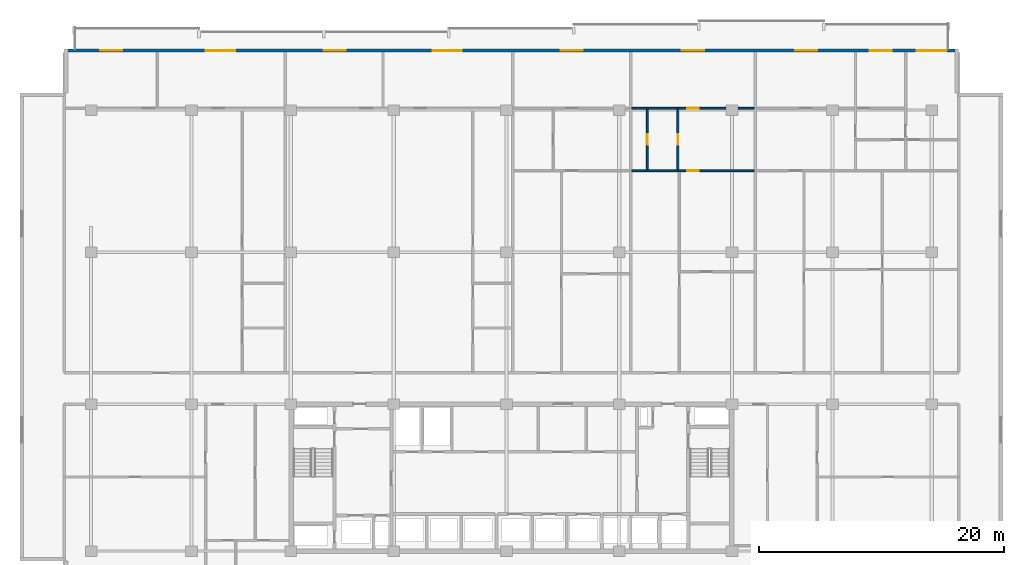
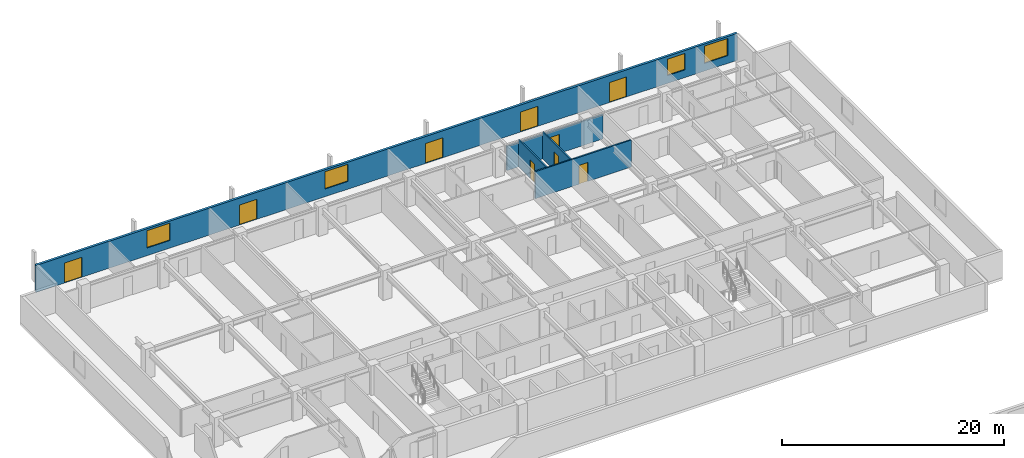
# One storey, part 14 of 21: 9 doors, 5 walls, 4 windows, 13 openings.
"""IFC4 building model written with IfcOpenShell, lengths in metres."""

from ifc_helpers import new_model, si_unit, direction, frame, frame_2d, origin, place, context, subcontext, project, spatial, rectangle, extrude, material, layer, layer_set, type_object, element, fill, save


model = new_model("IFC4")

# Units and contexts
model_context = context("Model", 3, precision=1e-05, world=origin(), true_north=direction((0.0, 1.0)))
body_context = subcontext(model_context, "Body", "Model", "MODEL_VIEW")
ifc_project = project(units=[si_unit("LENGTHUNIT", "METRE"), si_unit("AREAUNIT", "SQUARE_METRE"), si_unit("VOLUMEUNIT", "CUBIC_METRE"), si_unit("PLANEANGLEUNIT", "RADIAN"), si_unit("MASSUNIT", "GRAM", prefix="KILO")], contexts=[model_context])

# Site, building, storey
site_placement = place(None, origin())
site = spatial("IfcSite", under=ifc_project, at=site_placement, CompositionType="ELEMENT")
building_placement = place(site_placement, origin())
building = spatial("IfcBuilding", under=site, at=building_placement, Name="Korimba Cascade Residences", CompositionType="ELEMENT")
storey_placement = place(building_placement, frame((0.0, 0.0, 97.050048828125)))
storey = spatial("IfcBuildingStorey", under=building, at=storey_placement, Name="L27", CompositionType="ELEMENT", Elevation=97.050048828125)

# Wall, openings, doors, windows
ifc_material_1 = material(Name="Precast concrete C40/50", Category="concrete")
ifc_layer_1 = layer(ifc_material_1, 0.25)
ifc_layer_set_1 = layer_set([ifc_layer_1], Name="Precast concrete C40/50")
wall_type_1 = type_object("IfcWallType", Name="EW-LOG-250", PredefinedType="STANDARD", material=ifc_layer_set_1)
wall_1_placement = place(storey_placement, frame((130.60009765625, 96.050048828125, 0.0), z_axis=(0.0, 0.0, 1.0), x_axis=(-1.0, 0.0, 0.0)))
wall_1 = element("IfcWall", 1, at=wall_1_placement, inside=storey, type_object=wall_type_1, Name="L27 T1 Perimeter Stone Wall E06", PredefinedType="STANDARD", context=body_context, shape_type="SweptSolid", body=[
    extrude(rectangle(XDim=73.0, YDim=0.25, at=frame_2d((36.5, 0.0))), origin(), (0.0, 0.0, 1.0), 2.969970703125),
])
opening_1_placement = place(wall_1_placement, frame((68.241943359375, 0.0, 0.0)))
opening_1 = element("IfcOpeningElement", 2, at=opening_1_placement, cuts=wall_1, Name="Opening D-LG1", PredefinedType="OPENING", context=body_context, shape_type="SweptSolid", body=[
    extrude(rectangle(XDim=1.800048828125, YDim=2.199951171875, at=frame_2d((0.89990234375, 1.10009765625))), frame((0.0, 0.135009765625, 0.0), z_axis=(0.0, -1.0, 0.0), x_axis=(1.0, 0.0, 0.0)), (0.0, 0.0, 1.0), 0.27001953125),
])
opening_2_placement = place(wall_1_placement, frame((59.0458984375, 0.0, 0.85009765625)))
opening_2 = element("IfcOpeningElement", 3, at=opening_2_placement, cuts=wall_1, Name="Opening W-01", PredefinedType="OPENING", context=body_context, shape_type="SweptSolid", body=[
    extrude(rectangle(XDim=2.39990234375, YDim=1.89990234375, at=frame_2d((1.199951171875, 0.949951171875))), frame((0.0, 0.135009765625, 0.0), z_axis=(0.0, -1.0, 0.0), x_axis=(1.0, 0.0, 0.0)), (0.0, 0.0, 1.0), 0.27001953125),
])
opening_3_placement = place(wall_1_placement, frame((50.01220703125, 0.0, 0.0)))
opening_3 = element("IfcOpeningElement", 4, at=opening_3_placement, cuts=wall_1, Name="Opening D-LG1", PredefinedType="OPENING", context=body_context, shape_type="SweptSolid", body=[
    extrude(rectangle(XDim=1.800048828125, YDim=2.199951171875, at=frame_2d((0.89990234375, 1.10009765625))), frame((0.0, 0.135009765625, 0.0), z_axis=(0.0, -1.0, 0.0), x_axis=(1.0, 0.0, 0.0)), (0.0, 0.0, 1.0), 0.27001953125),
])
opening_4_placement = place(wall_1_placement, frame((40.535888671875, 0.0, 0.85009765625)))
opening_4 = element("IfcOpeningElement", 5, at=opening_4_placement, cuts=wall_1, Name="Opening W-01", PredefinedType="OPENING", context=body_context, shape_type="SweptSolid", body=[
    extrude(rectangle(XDim=2.39990234375, YDim=1.89990234375, at=frame_2d((1.199951171875, 0.949951171875))), frame((0.0, 0.135009765625, 0.0), z_axis=(0.0, -1.0, 0.0), x_axis=(1.0, 0.0, 0.0)), (0.0, 0.0, 1.0), 0.27001953125),
])
opening_5_placement = place(wall_1_placement, frame((30.67041015625, 0.0, 0.0)))
opening_5 = element("IfcOpeningElement", 6, at=opening_5_placement, cuts=wall_1, Name="Opening D-LG1", PredefinedType="OPENING", context=body_context, shape_type="SweptSolid", body=[
    extrude(rectangle(XDim=1.800048828125, YDim=2.199951171875, at=frame_2d((0.89990234375, 1.10009765625))), frame((0.0, 0.135009765625, 0.0), z_axis=(0.0, -1.0, 0.0), x_axis=(1.0, 0.0, 0.0)), (0.0, 0.0, 1.0), 0.27001953125),
])
opening_6_placement = place(wall_1_placement, frame((20.781005859375, 0.0, 0.0)))
opening_6 = element("IfcOpeningElement", 7, at=opening_6_placement, cuts=wall_1, Name="Opening D-LG1", PredefinedType="OPENING", context=body_context, shape_type="SweptSolid", body=[
    extrude(rectangle(XDim=1.800048828125, YDim=2.199951171875, at=frame_2d((0.89990234375, 1.10009765625))), frame((0.0, 0.135009765625, 0.0), z_axis=(0.0, -1.0, 0.0), x_axis=(1.0, 0.0, 0.0)), (0.0, 0.0, 1.0), 0.27001953125),
])
opening_7_placement = place(wall_1_placement, frame((5.47509765625, 0.0, 0.85009765625)))
opening_7 = element("IfcOpeningElement", 8, at=opening_7_placement, cuts=wall_1, Name="Opening W-02", PredefinedType="OPENING", context=body_context, shape_type="SweptSolid", body=[
    extrude(rectangle(XDim=1.800048828125, YDim=1.800048828125, at=frame_2d((0.89990234375, 0.89990234375))), frame((0.0, 0.135009765625, 0.0), z_axis=(0.0, -1.0, 0.0), x_axis=(1.0, 0.0, 0.0)), (0.0, 0.0, 1.0), 0.27001953125),
])
opening_8_placement = place(wall_1_placement, frame((11.548095703125, 0.0, 0.0)))
opening_8 = element("IfcOpeningElement", 9, at=opening_8_placement, cuts=wall_1, Name="Opening D-LG1", PredefinedType="OPENING", context=body_context, shape_type="SweptSolid", body=[
    extrude(rectangle(XDim=1.800048828125, YDim=2.199951171875, at=frame_2d((0.89990234375, 1.10009765625))), frame((0.0, 0.135009765625, 0.0), z_axis=(0.0, -1.0, 0.0), x_axis=(1.0, 0.0, 0.0)), (0.0, 0.0, 1.0), 0.27001953125),
])
opening_9_placement = place(wall_1_placement, frame((1.02490234375, 0.0, 0.85009765625)))
opening_9 = element("IfcOpeningElement", 10, at=opening_9_placement, cuts=wall_1, Name="Opening W-01", PredefinedType="OPENING", context=body_context, shape_type="SweptSolid", body=[
    extrude(rectangle(XDim=2.39990234375, YDim=1.89990234375, at=frame_2d((1.199951171875, 0.949951171875))), frame((0.0, 0.135009765625, 0.0), z_axis=(0.0, -1.0, 0.0), x_axis=(1.0, 0.0, 0.0)), (0.0, 0.0, 1.0), 0.27001953125),
])
ifc_material_2 = material(Name="Glazed Aluminium Loggia Sliding Door", Category="aluminium")
door_type_1 = type_object("IfcDoorType", Name="DR-EXT-LOG", OperationType="NOTDEFINED", PredefinedType="DOOR", material=ifc_material_2)
door_1_placement = place(opening_1_placement, origin())
door_1 = element("IfcDoor", 11, at=door_1_placement, inside=storey, type_object=door_type_1, Name="L27 T1 Loggia Sliding Door 3", OperationType="SLIDING_TO_LEFT", OverallHeight=2.199951171875, OverallWidth=1.800048828125, PredefinedType="DOOR", context=body_context, shape_type="SweptSolid", body=[
    extrude(rectangle(XDim=1.800048828125, YDim=2.199951171875, at=frame_2d((0.89990234375, 1.10009765625))), frame((0.0, 0.02490234375, 0.0), z_axis=(0.0, -1.0, 0.0), x_axis=(1.0, 0.0, 0.0)), (0.0, 0.0, 1.0), 0.050048828125),
])
fill(opening_1, door_1)
door_2_placement = place(opening_3_placement, origin())
door_2 = element("IfcDoor", 12, at=door_2_placement, inside=storey, type_object=door_type_1, Name="L27 T1 Loggia Sliding Door 5", OperationType="SLIDING_TO_LEFT", OverallHeight=2.199951171875, OverallWidth=1.800048828125, PredefinedType="DOOR", context=body_context, shape_type="SweptSolid", body=[
    extrude(rectangle(XDim=1.800048828125, YDim=2.199951171875, at=frame_2d((0.89990234375, 1.10009765625))), frame((0.0, 0.02490234375, 0.0), z_axis=(0.0, -1.0, 0.0), x_axis=(1.0, 0.0, 0.0)), (0.0, 0.0, 1.0), 0.050048828125),
])
fill(opening_3, door_2)
door_3_placement = place(opening_5_placement, origin())
door_3 = element("IfcDoor", 13, at=door_3_placement, inside=storey, type_object=door_type_1, Name="L27 T1 Loggia Sliding Door 7", OperationType="SLIDING_TO_LEFT", OverallHeight=2.199951171875, OverallWidth=1.800048828125, PredefinedType="DOOR", context=body_context, shape_type="SweptSolid", body=[
    extrude(rectangle(XDim=1.800048828125, YDim=2.199951171875, at=frame_2d((0.89990234375, 1.10009765625))), frame((0.0, 0.02490234375, 0.0), z_axis=(0.0, -1.0, 0.0), x_axis=(1.0, 0.0, 0.0)), (0.0, 0.0, 1.0), 0.050048828125),
])
fill(opening_5, door_3)
door_4_placement = place(opening_6_placement, origin())
door_4 = element("IfcDoor", 14, at=door_4_placement, inside=storey, type_object=door_type_1, Name="L27 T1 Loggia Sliding Door 8", OperationType="SLIDING_TO_LEFT", OverallHeight=2.199951171875, OverallWidth=1.800048828125, PredefinedType="DOOR", context=body_context, shape_type="SweptSolid", body=[
    extrude(rectangle(XDim=1.800048828125, YDim=2.199951171875, at=frame_2d((0.89990234375, 1.10009765625))), frame((0.0, 0.02490234375, 0.0), z_axis=(0.0, -1.0, 0.0), x_axis=(1.0, 0.0, 0.0)), (0.0, 0.0, 1.0), 0.050048828125),
])
fill(opening_6, door_4)
door_5_placement = place(opening_8_placement, origin())
door_5 = element("IfcDoor", 15, at=door_5_placement, inside=storey, type_object=door_type_1, Name="L27 T1 Loggia Sliding Door 10", OperationType="SLIDING_TO_LEFT", OverallHeight=2.199951171875, OverallWidth=1.800048828125, PredefinedType="DOOR", context=body_context, shape_type="SweptSolid", body=[
    extrude(rectangle(XDim=1.800048828125, YDim=2.199951171875, at=frame_2d((0.89990234375, 1.10009765625))), frame((0.0, 0.02490234375, 0.0), z_axis=(0.0, -1.0, 0.0), x_axis=(1.0, 0.0, 0.0)), (0.0, 0.0, 1.0), 0.050048828125),
])
fill(opening_8, door_5)
ifc_material_3 = material(Name="Double-Glazed Aluminium Window", Category="aluminium")
window_type_1 = type_object("IfcWindowType", Name="WIN-BED-1800", PartitioningType="SINGLE_PANEL", PredefinedType="WINDOW", material=ifc_material_3)
window_1_placement = place(opening_7_placement, origin())
window_1 = element("IfcWindow", 16, at=window_1_placement, inside=storey, type_object=window_type_1, Name="L27 T1 North Facade Window 9", OverallHeight=1.800048828125, OverallWidth=1.800048828125, PartitioningType="SINGLE_PANEL", PredefinedType="WINDOW", context=body_context, shape_type="SweptSolid", body=[
    extrude(rectangle(XDim=1.800048828125, YDim=1.800048828125, at=frame_2d((0.89990234375, 0.89990234375))), frame((0.0, 0.030029296875, 0.0), z_axis=(0.0, -1.0, 0.0), x_axis=(1.0, 0.0, 0.0)), (0.0, 0.0, 1.0), 0.06005859375),
])
fill(opening_7, window_1)
window_type_2 = type_object("IfcWindowType", Name="WIN-RES-2400", PartitioningType="DOUBLE_PANEL_VERTICAL", PredefinedType="WINDOW", material=ifc_material_3)
window_2_placement = place(opening_2_placement, origin())
window_2 = element("IfcWindow", 17, at=window_2_placement, inside=storey, type_object=window_type_2, Name="L27 T1 North Facade Window 4", OverallHeight=1.89990234375, OverallWidth=2.39990234375, PartitioningType="DOUBLE_PANEL_VERTICAL", PredefinedType="WINDOW", context=body_context, shape_type="SweptSolid", body=[
    extrude(rectangle(XDim=2.39990234375, YDim=1.89990234375, at=frame_2d((1.199951171875, 0.949951171875))), frame((0.0, 0.030029296875, 0.0), z_axis=(0.0, -1.0, 0.0), x_axis=(1.0, 0.0, 0.0)), (0.0, 0.0, 1.0), 0.06005859375),
])
fill(opening_2, window_2)
window_3_placement = place(opening_4_placement, origin())
window_3 = element("IfcWindow", 18, at=window_3_placement, inside=storey, type_object=window_type_2, Name="L27 T1 North Facade Window 6", OverallHeight=1.89990234375, OverallWidth=2.39990234375, PartitioningType="DOUBLE_PANEL_VERTICAL", PredefinedType="WINDOW", context=body_context, shape_type="SweptSolid", body=[
    extrude(rectangle(XDim=2.39990234375, YDim=1.89990234375, at=frame_2d((1.199951171875, 0.949951171875))), frame((0.0, 0.030029296875, 0.0), z_axis=(0.0, -1.0, 0.0), x_axis=(1.0, 0.0, 0.0)), (0.0, 0.0, 1.0), 0.06005859375),
])
fill(opening_4, window_3)
window_4_placement = place(opening_9_placement, origin())
window_4 = element("IfcWindow", 19, at=window_4_placement, inside=storey, type_object=window_type_2, Name="L27 T1 North Facade Window 11", OverallHeight=1.89990234375, OverallWidth=2.39990234375, PartitioningType="DOUBLE_PANEL_VERTICAL", PredefinedType="WINDOW", context=body_context, shape_type="SweptSolid", body=[
    extrude(rectangle(XDim=2.39990234375, YDim=1.89990234375, at=frame_2d((1.199951171875, 0.949951171875))), frame((0.0, 0.030029296875, 0.0), z_axis=(0.0, -1.0, 0.0), x_axis=(1.0, 0.0, 0.0)), (0.0, 0.0, 1.0), 0.06005859375),
])
fill(opening_9, window_4)

# Wall, opening, door
ifc_material_4 = material(Name="Insulated Acoustic Stud Partition", Category="gypsum")
ifc_layer_2 = layer(ifc_material_4, 0.14990234375)
ifc_layer_set_2 = layer_set([ifc_layer_2], Name="Insulated Acoustic Stud Partition")
wall_type_2 = type_object("IfcWallType", Name="WAL-PART-150", PredefinedType="PARTITIONING", material=ifc_layer_set_2)
wall_2_placement = place(storey_placement, frame((105.183837890625, 86.2900390625, 0.0), z_axis=(0.0, 0.0, 1.0), x_axis=(0.0, 1.0, 0.0)))
wall_2 = element("IfcWall", 20, at=wall_2_placement, inside=storey, type_object=wall_type_2, Name="L27 Partition Wall WAL-L27-T1-U04-CLS", PredefinedType="PARTITIONING", context=body_context, shape_type="SweptSolid", body=[
    extrude(rectangle(XDim=5.0, YDim=0.14990234375, at=frame_2d((2.5, 0.0))), origin(), (0.0, 0.0, 1.0), 2.969970703125),
])
opening_10_placement = place(wall_2_placement, frame((2.080078125, 0.0, 0.0)))
opening_10 = element("IfcOpeningElement", 21, at=opening_10_placement, cuts=wall_2, Name="Opening D-BT1", PredefinedType="OPENING", context=body_context, shape_type="SweptSolid", body=[
    extrude(rectangle(XDim=0.840087890625, YDim=2.0400390625, at=frame_2d((0.419921875, 1.02001953125))), frame((0.0, 0.0849609375, 0.0), z_axis=(0.0, -1.0, 0.0), x_axis=(1.0, 0.0, 0.0)), (0.0, 0.0, 1.0), 0.169921875),
])
ifc_material_5 = material(Name="Moisture-Resistant Bathroom Timber Door", Category="wood")
door_type_2 = type_object("IfcDoorType", Name="DR-INT-850", OperationType="NOTDEFINED", PredefinedType="DOOR", material=ifc_material_5)
door_6_placement = place(opening_10_placement, origin())
door_6 = element("IfcDoor", 22, at=door_6_placement, inside=storey, type_object=door_type_2, Name="L27-T1-U04 Closet Door", OperationType="SINGLE_SWING_LEFT", OverallHeight=2.0400390625, OverallWidth=0.840087890625, PredefinedType="DOOR", context=body_context, shape_type="SweptSolid", body=[
    extrude(rectangle(XDim=0.840087890625, YDim=2.0400390625, at=frame_2d((0.419921875, 1.02001953125))), frame((0.0, 0.02490234375, 0.0), z_axis=(0.0, -1.0, 0.0), x_axis=(1.0, 0.0, 0.0)), (0.0, 0.0, 1.0), 0.050048828125),
])
fill(opening_10, door_6)

wall_3_placement = place(storey_placement, frame((107.683837890625, 86.2900390625, 0.0), z_axis=(0.0, 0.0, 1.0), x_axis=(0.0, 1.0, 0.0)))
wall_3 = element("IfcWall", 23, at=wall_3_placement, inside=storey, type_object=wall_type_2, Name="L27 Partition Wall WAL-L27-T1-U04-BM", PredefinedType="PARTITIONING", context=body_context, shape_type="SweptSolid", body=[
    extrude(rectangle(XDim=5.0, YDim=0.14990234375, at=frame_2d((2.5, 0.0))), origin(), (0.0, 0.0, 1.0), 2.969970703125),
])
opening_11_placement = place(wall_3_placement, frame((2.080078125, 0.0, 0.0)))
opening_11 = element("IfcOpeningElement", 24, at=opening_11_placement, cuts=wall_3, Name="Opening D-BT1", PredefinedType="OPENING", context=body_context, shape_type="SweptSolid", body=[
    extrude(rectangle(XDim=0.840087890625, YDim=2.0400390625, at=frame_2d((0.419921875, 1.02001953125))), frame((0.0, 0.0849609375, 0.0), z_axis=(0.0, -1.0, 0.0), x_axis=(1.0, 0.0, 0.0)), (0.0, 0.0, 1.0), 0.169921875),
])
door_7_placement = place(opening_11_placement, origin())
door_7 = element("IfcDoor", 25, at=door_7_placement, inside=storey, type_object=door_type_2, Name="L27-T1-U04 Bathroom Door", OperationType="SINGLE_SWING_RIGHT", OverallHeight=2.0400390625, OverallWidth=0.840087890625, PredefinedType="DOOR", context=body_context, shape_type="SweptSolid", body=[
    extrude(rectangle(XDim=0.840087890625, YDim=2.0400390625, at=frame_2d((0.419921875, 1.02001953125))), frame((0.0, 0.02490234375, 0.0), z_axis=(0.0, -1.0, 0.0), x_axis=(1.0, 0.0, 0.0)), (0.0, 0.0, 1.0), 0.050048828125),
])
fill(opening_11, door_7)

wall_4_placement = place(storey_placement, frame((103.9140625, 86.25, 0.0), z_axis=(0.0, 0.0, 1.0), x_axis=(1.0, 0.0, 0.0)))
wall_4 = element("IfcWall", 26, at=wall_4_placement, inside=storey, type_object=wall_type_2, Name="L27 Partition Wall WAL-L27-T1-U04-MW", PredefinedType="PARTITIONING", context=body_context, shape_type="SweptSolid", body=[
    extrude(rectangle(XDim=10.009765625, YDim=0.14990234375, at=frame_2d((5.0048828125, 0.0))), origin(), (0.0, 0.0, 1.0), 2.969970703125),
])
opening_12_placement = place(wall_4_placement, frame((4.544921875, 0.0, 0.0)))
opening_12 = element("IfcOpeningElement", 27, at=opening_12_placement, cuts=wall_4, Name="Opening D-IN1", PredefinedType="OPENING", context=body_context, shape_type="SweptSolid", body=[
    extrude(rectangle(XDim=0.919921875, YDim=2.080078125, at=frame_2d((0.4599609375, 1.0400390625))), frame((0.0, 0.0849609375, 0.0), z_axis=(0.0, -1.0, 0.0), x_axis=(1.0, 0.0, 0.0)), (0.0, 0.0, 1.0), 0.169921875),
])
ifc_material_6 = material(Name="Acoustic Timber Living Door", Category="wood")
door_type_3 = type_object("IfcDoorType", Name="DR-INT-920", OperationType="NOTDEFINED", PredefinedType="DOOR", material=ifc_material_6)
door_8_placement = place(opening_12_placement, origin())
door_8 = element("IfcDoor", 28, at=door_8_placement, inside=storey, type_object=door_type_3, Name="L27-T1-U04 Studio Kitchen Door", OperationType="SINGLE_SWING_LEFT", OverallHeight=2.080078125, OverallWidth=0.919921875, PredefinedType="DOOR", context=body_context, shape_type="SweptSolid", body=[
    extrude(rectangle(XDim=0.919921875, YDim=2.080078125, at=frame_2d((0.4599609375, 1.0400390625))), frame((0.0, 0.02490234375, 0.0), z_axis=(0.0, -1.0, 0.0), x_axis=(1.0, 0.0, 0.0)), (0.0, 0.0, 1.0), 0.050048828125),
])
fill(opening_12, door_8)

wall_5_placement = place(storey_placement, frame((103.9140625, 91.35009765625, 0.0), z_axis=(0.0, 0.0, 1.0), x_axis=(1.0, 0.0, 0.0)))
wall_5 = element("IfcWall", 29, at=wall_5_placement, inside=storey, type_object=wall_type_2, Name="L27 Partition Wall WAL-L27-T1-U04-HZ", PredefinedType="PARTITIONING", context=body_context, shape_type="SweptSolid", body=[
    extrude(rectangle(XDim=10.009765625, YDim=0.14990234375, at=frame_2d((5.0048828125, 0.0))), origin(), (0.0, 0.0, 1.0), 2.663330078125),
])
opening_13_placement = place(wall_5_placement, frame((4.544921875, 0.0, 0.0)))
opening_13 = element("IfcOpeningElement", 30, at=opening_13_placement, cuts=wall_5, Name="Opening D-IN1", PredefinedType="OPENING", context=body_context, shape_type="SweptSolid", body=[
    extrude(rectangle(XDim=0.919921875, YDim=2.080078125, at=frame_2d((0.4599609375, 1.0400390625))), frame((0.0, 0.0849609375, 0.0), z_axis=(0.0, -1.0, 0.0), x_axis=(1.0, 0.0, 0.0)), (0.0, 0.0, 1.0), 0.169921875),
])
door_9_placement = place(opening_13_placement, origin())
door_9 = element("IfcDoor", 31, at=door_9_placement, inside=storey, type_object=door_type_3, Name="L27-T1-U04 Studio Door", OperationType="SINGLE_SWING_RIGHT", OverallHeight=2.080078125, OverallWidth=0.919921875, PredefinedType="DOOR", context=body_context, shape_type="SweptSolid", body=[
    extrude(rectangle(XDim=0.919921875, YDim=2.080078125, at=frame_2d((0.4599609375, 1.0400390625))), frame((0.0, 0.02490234375, 0.0), z_axis=(0.0, -1.0, 0.0), x_axis=(1.0, 0.0, 0.0)), (0.0, 0.0, 1.0), 0.050048828125),
])
fill(opening_13, door_9)

save(model, "model.ifc")
